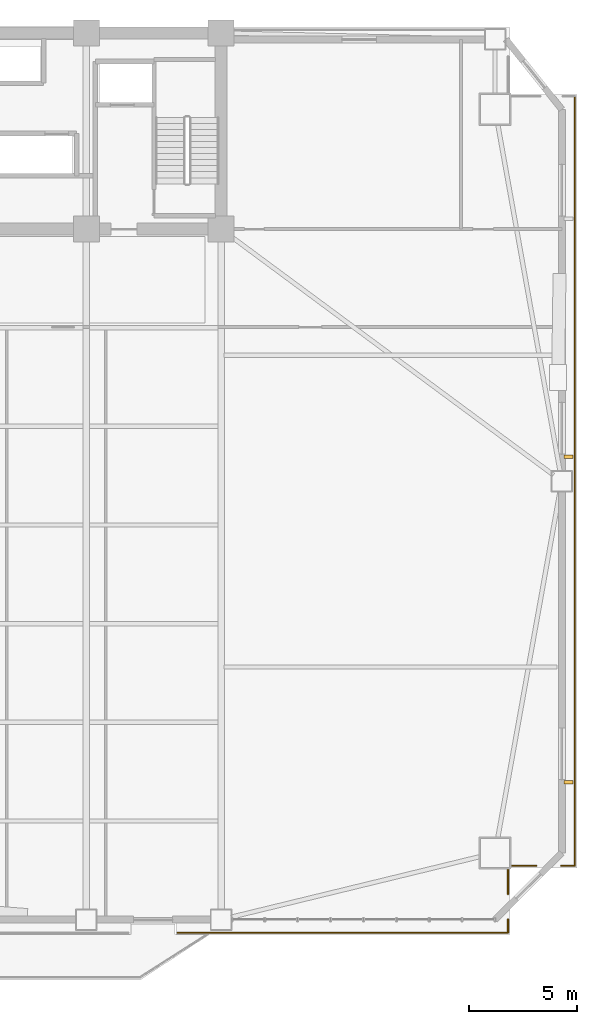
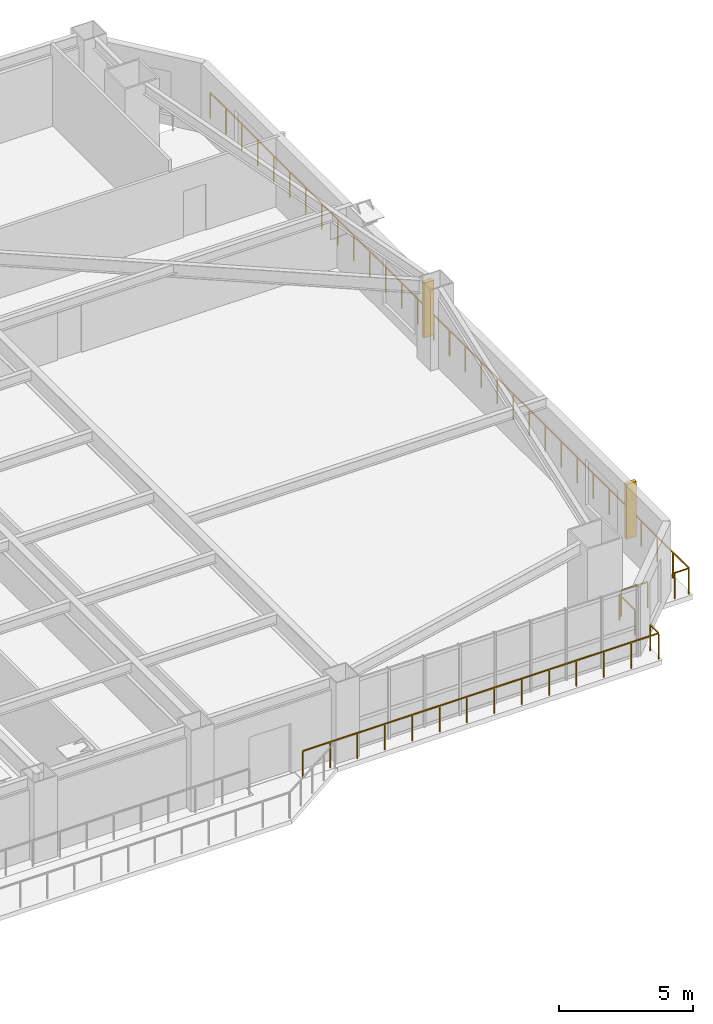
# One storey, part 13 of 16: 6 railings, 2 shading devices.
"""IFC4 building model written with IfcOpenShell, lengths in metres."""

from ifc_helpers import new_model, si_unit, direction, frame, origin, origin_2d, place, context, subcontext, project, spatial, rectangle, extrude, source, transform, mapped, material, type_object, element, save


model = new_model("IFC4")

# Units and contexts
model_context = context("Model", 3, precision=1e-05, world=origin(), true_north=direction((0.0, 1.0)))
body_context = subcontext(model_context, "Body", "Model", "MODEL_VIEW")
ifc_project = project(units=[si_unit("LENGTHUNIT", "METRE"), si_unit("AREAUNIT", "SQUARE_METRE"), si_unit("VOLUMEUNIT", "CUBIC_METRE"), si_unit("PLANEANGLEUNIT", "RADIAN"), si_unit("MASSUNIT", "GRAM", prefix="KILO")], contexts=[model_context])

# Site, building, storey
site_placement = place(None, origin())
site = spatial("IfcSite", under=ifc_project, at=site_placement, CompositionType="ELEMENT")
building_placement = place(site_placement, origin())
building = spatial("IfcBuilding", under=site, at=building_placement, Name="Giltprow Tower", CompositionType="ELEMENT")
storey_placement = place(building_placement, frame((0.0, 0.0, 79.60009765625)))
storey = spatial("IfcBuildingStorey", under=building, at=storey_placement, Name="L19", CompositionType="ELEMENT", Elevation=79.60009765625)

# Railings
ifc_material = material(Name="Anodized bronze", Category="metal")
railing_type = type_object("IfcRailingType", Name="RAIL-BALC-GUARD-1200", PredefinedType="BALUSTRADE", material=ifc_material)
railing_1_placement = place(storey_placement, frame((66.9609375, 43.60400390625, 0.0)))
element("IfcRailing", 1, at=railing_1_placement, inside=storey, type_object=railing_type, Name="L19 Corner Apron Edge Balustrade 14", PredefinedType="BALUSTRADE", context=body_context, shape_type="SweptSolid", body=[
    extrude(rectangle(XDim=0.048095703125, YDim=0.048095703125, at=origin_2d()), frame((0.0, 0.0, 1.17578125), z_axis=(0.0, -1.0, 0.0), x_axis=(1.0, 0.0, 0.0)), (0.0, 0.0, 1.0), 35.698974609375),
    extrude(rectangle(XDim=0.0419921875, YDim=0.0419921875, at=origin_2d()), origin(), (0.0, 0.0, 1.0), 1.15185546875),
    extrude(rectangle(XDim=0.0419921875, YDim=0.0419921875, at=origin_2d()), frame((0.0, -1.18994140625, 0.0)), (0.0, 0.0, 1.0), 1.15185546875),
    extrude(rectangle(XDim=0.0419921875, YDim=0.0419921875, at=origin_2d()), frame((0.0, -2.3798828125, 0.0)), (0.0, 0.0, 1.0), 1.15185546875),
    extrude(rectangle(XDim=0.0419921875, YDim=0.0419921875, at=origin_2d()), frame((0.0, -3.56982421875, 0.0)), (0.0, 0.0, 1.0), 1.15185546875),
    extrude(rectangle(XDim=0.0419921875, YDim=0.0419921875, at=origin_2d()), frame((0.0, -4.759765625, 0.0)), (0.0, 0.0, 1.0), 1.15185546875),
    extrude(rectangle(XDim=0.0419921875, YDim=0.0419921875, at=origin_2d()), frame((0.0, -5.94970703125, 0.0)), (0.0, 0.0, 1.0), 1.15185546875),
    extrude(rectangle(XDim=0.0419921875, YDim=0.0419921875, at=origin_2d()), frame((0.0, -7.139892578125, 0.0)), (0.0, 0.0, 1.0), 1.15185546875),
    extrude(rectangle(XDim=0.0419921875, YDim=0.0419921875, at=origin_2d()), frame((0.0, -8.329833984375, 0.0)), (0.0, 0.0, 1.0), 1.15185546875),
    extrude(rectangle(XDim=0.0419921875, YDim=0.0419921875, at=origin_2d()), frame((0.0, -9.519775390625, 0.0)), (0.0, 0.0, 1.0), 1.15185546875),
    extrude(rectangle(XDim=0.0419921875, YDim=0.0419921875, at=origin_2d()), frame((0.0, -10.709716796875, 0.0)), (0.0, 0.0, 1.0), 1.15185546875),
    extrude(rectangle(XDim=0.0419921875, YDim=0.0419921875, at=origin_2d()), frame((0.0, -11.899658203125, 0.0)), (0.0, 0.0, 1.0), 1.15185546875),
    extrude(rectangle(XDim=0.0419921875, YDim=0.0419921875, at=origin_2d()), frame((0.0, -13.089599609375, 0.0)), (0.0, 0.0, 1.0), 1.15185546875),
    extrude(rectangle(XDim=0.0419921875, YDim=0.0419921875, at=origin_2d()), frame((0.0, -14.279541015625, 0.0)), (0.0, 0.0, 1.0), 1.15185546875),
    extrude(rectangle(XDim=0.0419921875, YDim=0.0419921875, at=origin_2d()), frame((0.0, -15.469482421875, 0.0)), (0.0, 0.0, 1.0), 1.15185546875),
    extrude(rectangle(XDim=0.0419921875, YDim=0.0419921875, at=origin_2d()), frame((0.0, -16.659423828125, 0.0)), (0.0, 0.0, 1.0), 1.15185546875),
    extrude(rectangle(XDim=0.0419921875, YDim=0.0419921875, at=origin_2d()), frame((0.0, -17.849609375, 0.0)), (0.0, 0.0, 1.0), 1.15185546875),
    extrude(rectangle(XDim=0.0419921875, YDim=0.0419921875, at=origin_2d()), frame((0.0, -19.03955078125, 0.0)), (0.0, 0.0, 1.0), 1.15185546875),
    extrude(rectangle(XDim=0.0419921875, YDim=0.0419921875, at=origin_2d()), frame((0.0, -20.2294921875, 0.0)), (0.0, 0.0, 1.0), 1.15185546875),
    extrude(rectangle(XDim=0.0419921875, YDim=0.0419921875, at=origin_2d()), frame((0.0, -21.41943359375, 0.0)), (0.0, 0.0, 1.0), 1.15185546875),
    extrude(rectangle(XDim=0.0419921875, YDim=0.0419921875, at=origin_2d()), frame((0.0, -22.609375, 0.0)), (0.0, 0.0, 1.0), 1.15185546875),
    extrude(rectangle(XDim=0.0419921875, YDim=0.0419921875, at=origin_2d()), frame((0.0, -23.79931640625, 0.0)), (0.0, 0.0, 1.0), 1.15185546875),
    extrude(rectangle(XDim=0.0419921875, YDim=0.0419921875, at=origin_2d()), frame((0.0, -24.9892578125, 0.0)), (0.0, 0.0, 1.0), 1.15185546875),
    extrude(rectangle(XDim=0.0419921875, YDim=0.0419921875, at=origin_2d()), frame((0.0, -26.17919921875, 0.0)), (0.0, 0.0, 1.0), 1.15185546875),
    extrude(rectangle(XDim=0.0419921875, YDim=0.0419921875, at=origin_2d()), frame((0.0, -27.369140625, 0.0)), (0.0, 0.0, 1.0), 1.15185546875),
    extrude(rectangle(XDim=0.0419921875, YDim=0.0419921875, at=origin_2d()), frame((0.0, -28.55908203125, 0.0)), (0.0, 0.0, 1.0), 1.15185546875),
    extrude(rectangle(XDim=0.0419921875, YDim=0.0419921875, at=origin_2d()), frame((0.0, -29.7490234375, 0.0)), (0.0, 0.0, 1.0), 1.15185546875),
    extrude(rectangle(XDim=0.0419921875, YDim=0.0419921875, at=origin_2d()), frame((0.0, -30.939208984375, 0.0)), (0.0, 0.0, 1.0), 1.15185546875),
    extrude(rectangle(XDim=0.0419921875, YDim=0.0419921875, at=origin_2d()), frame((0.0, -32.129150390625, 0.0)), (0.0, 0.0, 1.0), 1.15185546875),
    extrude(rectangle(XDim=0.0419921875, YDim=0.0419921875, at=origin_2d()), frame((0.0, -33.319091796875, 0.0)), (0.0, 0.0, 1.0), 1.15185546875),
    extrude(rectangle(XDim=0.0419921875, YDim=0.0419921875, at=origin_2d()), frame((0.0, -34.509033203125, 0.0)), (0.0, 0.0, 1.0), 1.15185546875),
    extrude(rectangle(XDim=0.0419921875, YDim=0.0419921875, at=origin_2d()), frame((0.0, -35.698974609375, 0.0)), (0.0, 0.0, 1.0), 1.15185546875),
])
railing_2_placement = place(storey_placement, frame((66.9609375, 7.905029296875, 0.0)))
element("IfcRailing", 2, at=railing_2_placement, inside=storey, type_object=railing_type, Name="L19 Corner Apron Edge Balustrade 15", PredefinedType="BALUSTRADE", context=body_context, shape_type="SweptSolid", body=[
    extrude(rectangle(XDim=0.048095703125, YDim=0.048095703125, at=origin_2d()), frame((0.0, 0.0, 1.17578125), z_axis=(-1.0, 0.0, 0.0), x_axis=(0.0, -1.0, 0.0)), (0.0, 0.0, 1.0), 0.619873046875),
    extrude(rectangle(XDim=0.0419921875, YDim=0.0419921875, at=origin_2d()), origin(), (0.0, 0.0, 1.0), 1.15185546875),
    extrude(rectangle(XDim=0.0419921875, YDim=0.0419921875, at=origin_2d()), frame((-0.619873046875, 0.0, 0.0)), (0.0, 0.0, 1.0), 1.15185546875),
])
railing_3_placement = place(storey_placement, frame((65.180908203125, 7.905029296875, 0.0)))
element("IfcRailing", 3, at=railing_3_placement, inside=storey, type_object=railing_type, Name="L19 Corner Apron Edge Balustrade 16", PredefinedType="BALUSTRADE", context=body_context, shape_type="SweptSolid", body=[
    extrude(rectangle(XDim=0.048095703125, YDim=0.048095703125, at=origin_2d()), frame((0.0, 0.0, 1.17578125), z_axis=(-1.0, 0.0, 0.0), x_axis=(0.0, -1.0, 0.0)), (0.0, 0.0, 1.0), 1.130859375),
    extrude(rectangle(XDim=0.0419921875, YDim=0.0419921875, at=origin_2d()), origin(), (0.0, 0.0, 1.0), 1.15185546875),
    extrude(rectangle(XDim=0.0419921875, YDim=0.0419921875, at=origin_2d()), frame((-1.130859375, 0.0, 0.0)), (0.0, 0.0, 1.0), 1.15185546875),
])
railing_4_placement = place(storey_placement, frame((63.864990234375, 7.719970703125, 0.0)))
element("IfcRailing", 4, at=railing_4_placement, inside=storey, type_object=railing_type, Name="L19 Corner Apron Edge Balustrade 17", PredefinedType="BALUSTRADE", context=body_context, shape_type="SweptSolid", body=[
    extrude(rectangle(XDim=0.048095703125, YDim=0.048095703125, at=origin_2d()), frame((0.0, 0.0, 1.17578125), z_axis=(0.0, -1.0, 0.0), x_axis=(1.0, 0.0, 0.0)), (0.0, 0.0, 1.0), 1.130859375),
    extrude(rectangle(XDim=0.0419921875, YDim=0.0419921875, at=origin_2d()), origin(), (0.0, 0.0, 1.0), 1.15185546875),
    extrude(rectangle(XDim=0.0419921875, YDim=0.0419921875, at=origin_2d()), frame((0.0, -1.130859375, 0.0)), (0.0, 0.0, 1.0), 1.15185546875),
])
railing_5_placement = place(storey_placement, frame((63.864990234375, 5.428955078125, 0.0)))
element("IfcRailing", 5, at=railing_5_placement, inside=storey, type_object=railing_type, Name="L19 Corner Apron Edge Balustrade 18", PredefinedType="BALUSTRADE", context=body_context, shape_type="SweptSolid", body=[
    extrude(rectangle(XDim=0.048095703125, YDim=0.048095703125, at=origin_2d()), frame((0.0, 0.0, 1.17578125), z_axis=(0.0, -1.0, 0.0), x_axis=(1.0, 0.0, 0.0)), (0.0, 0.0, 1.0), 0.619873046875),
    extrude(rectangle(XDim=0.0419921875, YDim=0.0419921875, at=origin_2d()), origin(), (0.0, 0.0, 1.0), 1.15185546875),
    extrude(rectangle(XDim=0.0419921875, YDim=0.0419921875, at=origin_2d()), frame((0.0, -0.619873046875, 0.0)), (0.0, 0.0, 1.0), 1.15185546875),
])
railing_6_placement = place(storey_placement, frame((63.864990234375, 4.80908203125, 0.0)))
element("IfcRailing", 6, at=railing_6_placement, inside=storey, type_object=railing_type, Name="L19 Corner Apron Edge Balustrade 19", PredefinedType="BALUSTRADE", context=body_context, shape_type="SweptSolid", body=[
    extrude(rectangle(XDim=0.048095703125, YDim=0.048095703125, at=origin_2d()), frame((0.0, 0.0, 1.17578125), z_axis=(-1.0, 0.0, 0.0), x_axis=(0.0, -1.0, 0.0)), (0.0, 0.0, 1.0), 15.31494140625),
    extrude(rectangle(XDim=0.0419921875, YDim=0.0419921875, at=origin_2d()), origin(), (0.0, 0.0, 1.0), 1.15185546875),
    extrude(rectangle(XDim=0.0419921875, YDim=0.0419921875, at=origin_2d()), frame((-1.177978515625, 0.0, 0.0)), (0.0, 0.0, 1.0), 1.15185546875),
    extrude(rectangle(XDim=0.0419921875, YDim=0.0419921875, at=origin_2d()), frame((-2.356201171875, 0.0, 0.0)), (0.0, 0.0, 1.0), 1.15185546875),
    extrude(rectangle(XDim=0.0419921875, YDim=0.0419921875, at=origin_2d()), frame((-3.5341796875, 0.0, 0.0)), (0.0, 0.0, 1.0), 1.15185546875),
    extrude(rectangle(XDim=0.0419921875, YDim=0.0419921875, at=origin_2d()), frame((-4.71240234375, 0.0, 0.0)), (0.0, 0.0, 1.0), 1.15185546875),
    extrude(rectangle(XDim=0.0419921875, YDim=0.0419921875, at=origin_2d()), frame((-5.890380859375, 0.0, 0.0)), (0.0, 0.0, 1.0), 1.15185546875),
    extrude(rectangle(XDim=0.0419921875, YDim=0.0419921875, at=origin_2d()), frame((-7.068359375, 0.0, 0.0)), (0.0, 0.0, 1.0), 1.15185546875),
    extrude(rectangle(XDim=0.0419921875, YDim=0.0419921875, at=origin_2d()), frame((-8.24658203125, 0.0, 0.0)), (0.0, 0.0, 1.0), 1.15185546875),
    extrude(rectangle(XDim=0.0419921875, YDim=0.0419921875, at=origin_2d()), frame((-9.424560546875, 0.0, 0.0)), (0.0, 0.0, 1.0), 1.15185546875),
    extrude(rectangle(XDim=0.0419921875, YDim=0.0419921875, at=origin_2d()), frame((-10.6025390625, 0.0, 0.0)), (0.0, 0.0, 1.0), 1.15185546875),
    extrude(rectangle(XDim=0.0419921875, YDim=0.0419921875, at=origin_2d()), frame((-11.78076171875, 0.0, 0.0)), (0.0, 0.0, 1.0), 1.15185546875),
    extrude(rectangle(XDim=0.0419921875, YDim=0.0419921875, at=origin_2d()), frame((-12.958740234375, 0.0, 0.0)), (0.0, 0.0, 1.0), 1.15185546875),
    extrude(rectangle(XDim=0.0419921875, YDim=0.0419921875, at=origin_2d()), frame((-14.136962890625, 0.0, 0.0)), (0.0, 0.0, 1.0), 1.15185546875),
    extrude(rectangle(XDim=0.0419921875, YDim=0.0419921875, at=origin_2d()), frame((-15.31494140625, 0.0, 0.0)), (0.0, 0.0, 1.0), 1.15185546875),
])

# Shading devices
shading_device_type = type_object("IfcShadingDeviceType", Name="SHD-FIN-420", PredefinedType="USERDEFINED", material=ifc_material)
shared_shape = source(origin(), body_context, "Body", "SweptSolid", [
    extrude(rectangle(XDim=0.419921875, YDim=0.159912109375, at=origin_2d()), origin(), (0.0, 0.0, 1.0), 2.5),
])
for number, where, z_axis, x_axis, name in (
    (7, (66.680908203125, 11.780029296875, 0.349853515625), (0.0, 0.0, 1.0), (1.0, 0.0, 0.0), "L19 E Bronze Vertical Fin 1-1"),
    (8, (66.680908203125, 26.885009765625, 0.349853515625), (0.0, 0.0, 1.0), (1.0, 0.0, 0.0), "L19 E Bronze Vertical Fin 2-1"),
):
    element("IfcShadingDevice", number, at=place(storey_placement, frame(where, z_axis=z_axis, x_axis=x_axis)), inside=storey, type_object=shading_device_type, Name=name, ObjectType="FIN", PredefinedType="USERDEFINED", context=body_context, shape_type="MappedRepresentation", body=[
        mapped(shared_shape, transform((0.0, 0.0, 0.0), x_axis=(1.0, 0.0, 0.0), y_axis=(0.0, 1.0, 0.0), z_axis=(0.0, 0.0, 1.0), scale=1.0)),
    ])

save(model, "model.ifc")
